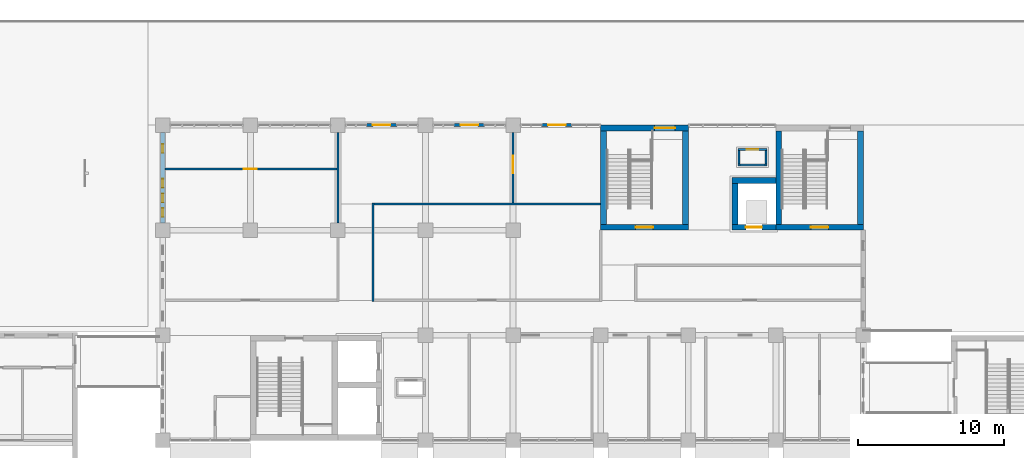
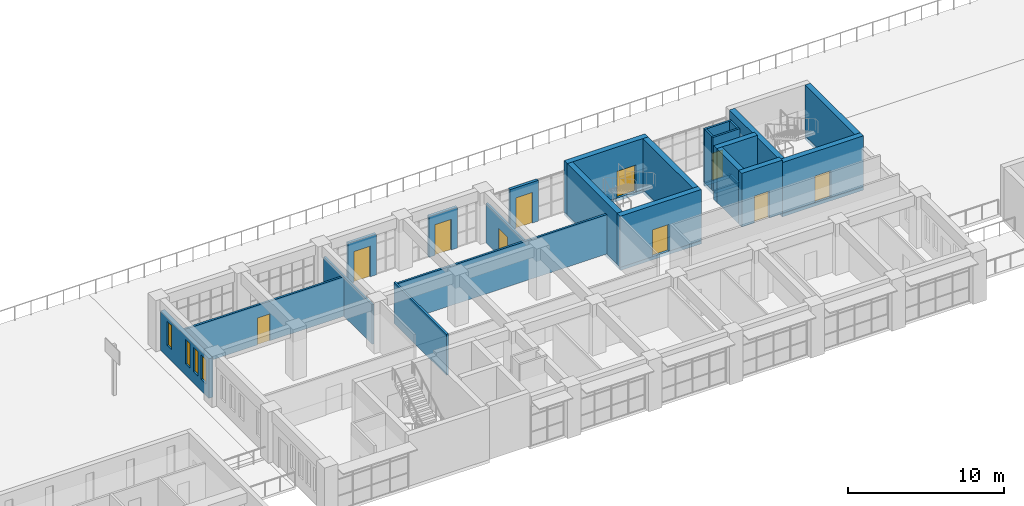
# One storey, part 79 of 101: 33 walls, 10 doors, 4 windows, 14 openings.
"""IFC4 building model written with IfcOpenShell, lengths in metres."""

from ifc_helpers import new_model, si_unit, direction, frame, frame_2d, origin, place, context, subcontext, project, spatial, rectangle, extrude, material, layer, layer_set, type_object, element, fill, save


model = new_model("IFC4")

# Units and contexts
model_context = context("Model", 3, precision=1e-05, world=origin(), true_north=direction((0.0, 1.0)))
body_context = subcontext(model_context, "Body", "Model", "MODEL_VIEW")
ifc_project = project(units=[si_unit("LENGTHUNIT", "METRE"), si_unit("AREAUNIT", "SQUARE_METRE"), si_unit("VOLUMEUNIT", "CUBIC_METRE"), si_unit("PLANEANGLEUNIT", "RADIAN"), si_unit("MASSUNIT", "GRAM", prefix="KILO")], contexts=[model_context])

# Site, building, storey
site_placement = place(None, origin())
site = spatial("IfcSite", under=ifc_project, at=site_placement, CompositionType="ELEMENT")
building_placement = place(site_placement, origin())
building = spatial("IfcBuilding", under=site, at=building_placement, Name="Laocheng Heights Fire and Rescue Headquarters", CompositionType="ELEMENT")
storey_placement = place(building_placement, frame((0.0, 0.0, 8.39990234375)))
storey = spatial("IfcBuildingStorey", under=building, at=storey_placement, Name="L02", CompositionType="ELEMENT", Elevation=8.39990234375)

# Walls
ifc_material_1 = material(Name="Gypsum plaster")
ifc_layer_1 = layer(ifc_material_1, 0.010009765625, Name="PLASTER", Category="plaster")
ifc_material_2 = material(Name="Concrete blockwork MU10", Category="masonry")
ifc_layer_2 = layer(ifc_material_2, 0.1298828125, Name="BLOCKWORK", Category="masonry")
ifc_layer_3 = layer(ifc_material_1, 0.010009765625, Name="PLASTER", Category="plaster")
ifc_layer_set_1 = layer_set([ifc_layer_1, ifc_layer_2, ifc_layer_3], Name="Concrete blockwork MU10")
wall_type_1 = type_object("IfcWallType", Name="BLOCKWORK CORRIDOR WALL 150 EI 60 HQ WING", PredefinedType="PARTITIONING", material=ifc_layer_set_1)
wall_1_placement = place(storey_placement, frame((48.0, 65.300048828125, 0.0), z_axis=(0.0, 0.0, 1.0), x_axis=(0.0, 1.0, 0.0)))
element("IfcWall", 1, at=wall_1_placement, inside=storey, type_object=wall_type_1, Name="Partition L02-003", PredefinedType="PARTITIONING", context=body_context, shape_type="SweptSolid", body=[
    extrude(rectangle(XDim=6.199951171875, YDim=0.14990234375, at=frame_2d((3.10009765625, 0.0))), origin(), (0.0, 0.0, 1.0), 3.10009765625),
])
wall_2_placement = place(storey_placement, frame((50.39990234375, 59.925048828125, 0.0), z_axis=(0.0, 0.0, 1.0), x_axis=(0.0, 1.0, 0.0)))
element("IfcWall", 2, at=wall_2_placement, inside=storey, type_object=wall_type_1, Name="Partition L02-004", PredefinedType="PARTITIONING", context=body_context, shape_type="SweptSolid", body=[
    extrude(rectangle(XDim=6.75, YDim=0.14990234375, at=frame_2d((3.375, 0.0))), origin(), (0.0, 0.0, 1.0), 3.2001953125),
])

# Wall, opening, door
wall_3_placement = place(storey_placement, frame((60.0, 66.675048828125, 0.0), z_axis=(0.0, 0.0, 1.0), x_axis=(0.0, 1.0, 0.0)))
wall_3 = element("IfcWall", 3, at=wall_3_placement, inside=storey, type_object=wall_type_1, Name="Partition L02-006", PredefinedType="PARTITIONING", context=body_context, shape_type="SweptSolid", body=[
    extrude(rectangle(XDim=4.824951171875, YDim=0.14990234375, at=frame_2d((2.41259765625, 0.0))), origin(), (0.0, 0.0, 1.0), 3.10009765625),
])
opening_1_placement = place(wall_3_placement, frame((2.02490234375, 0.0, 0.0)))
opening_1 = element("IfcOpeningElement", 4, at=opening_1_placement, cuts=wall_3, Name="Opening L02-Y02", PredefinedType="OPENING", context=body_context, shape_type="SweptSolid", body=[
    extrude(rectangle(XDim=1.199951171875, YDim=2.10009765625, at=frame_2d((0.60009765625, 1.050048828125))), frame((0.0, 0.0849609375, 0.0), z_axis=(0.0, -1.0, 0.0), x_axis=(1.0, 0.0, 0.0)), (0.0, 0.0, 1.0), 0.169921875),
])
ifc_material_3 = material(Name="Timber door leaf, veneered", Category="wood")
door_type_1 = type_object("IfcDoorType", Name="TIMBER DOOR 1200x2100 EI 30 HQ WING", OperationType="SINGLE_SWING_LEFT", PredefinedType="DOOR", material=ifc_material_3)
door_1_placement = place(opening_1_placement, frame((1.199951171875, 0.0, 0.0), z_axis=(0.0, 0.0, 1.0), x_axis=(-1.0, 0.0, 0.0)))
door_1 = element("IfcDoor", 5, at=door_1_placement, inside=storey, type_object=door_type_1, Name="Door L02-Y02", OperationType="SINGLE_SWING_LEFT", OverallHeight=2.10009765625, OverallWidth=1.199951171875, PredefinedType="DOOR", context=body_context, shape_type="SweptSolid", body=[
    extrude(rectangle(XDim=1.199951171875, YDim=2.10009765625, at=frame_2d((0.60009765625, 1.050048828125))), frame((0.0, 0.02490234375, 0.0), z_axis=(0.0, -1.0, 0.0), x_axis=(1.0, 0.0, 0.0)), (0.0, 0.0, 1.0), 0.050048828125),
])
fill(opening_1, door_1)

# Wall
wall_4_placement = place(storey_placement, frame((50.47509765625, 66.60009765625, 0.0), z_axis=(0.0, 0.0, 1.0), x_axis=(1.0, 0.0, 0.0)))
element("IfcWall", 6, at=wall_4_placement, inside=storey, type_object=wall_type_1, Name="Partition L02-020", PredefinedType="PARTITIONING", context=body_context, shape_type="SweptSolid", body=[
    extrude(rectangle(XDim=15.52490234375, YDim=0.14990234375, at=frame_2d((7.762451171875, 0.0))), origin(), (0.0, 0.0, 1.0), 3.10009765625),
])

# Wall, opening, door
wall_5_placement = place(storey_placement, frame((36.14990234375, 69.0, 0.0), z_axis=(0.0, 0.0, 1.0), x_axis=(1.0, 0.0, 0.0)))
wall_5 = element("IfcWall", 7, at=wall_5_placement, inside=storey, type_object=wall_type_1, Name="Partition L02-021", PredefinedType="PARTITIONING", context=body_context, shape_type="SweptSolid", body=[
    extrude(rectangle(XDim=11.775146484375, YDim=0.14990234375, at=frame_2d((5.8876953125, 0.0))), origin(), (0.0, 0.0, 1.0), 3.10009765625),
])
opening_2_placement = place(wall_5_placement, frame((5.39990234375, 0.0, 0.0)))
opening_2 = element("IfcOpeningElement", 8, at=opening_2_placement, cuts=wall_5, Name="Opening L02-Y11", PredefinedType="OPENING", context=body_context, shape_type="SweptSolid", body=[
    extrude(rectangle(XDim=0.89990234375, YDim=2.10009765625, at=frame_2d((0.449951171875, 1.050048828125))), frame((0.0, 0.0849609375, 0.0), z_axis=(0.0, -1.0, 0.0), x_axis=(1.0, 0.0, 0.0)), (0.0, 0.0, 1.0), 0.169921875),
])
ifc_material_4 = material(Name="Timber door leaf, veneered", Category="wood")
door_type_2 = type_object("IfcDoorType", Name="TIMBER DOOR 900x2100 EI 30 HQ WING", OperationType="SINGLE_SWING_LEFT", PredefinedType="DOOR", material=ifc_material_4)
door_2_placement = place(opening_2_placement, origin())
door_2 = element("IfcDoor", 9, at=door_2_placement, inside=storey, type_object=door_type_2, Name="Door L02-Y11", OperationType="SINGLE_SWING_LEFT", OverallHeight=2.10009765625, OverallWidth=0.89990234375, PredefinedType="DOOR", context=body_context, shape_type="SweptSolid", body=[
    extrude(rectangle(XDim=0.89990234375, YDim=2.10009765625, at=frame_2d((0.449951171875, 1.050048828125))), frame((0.0, 0.02490234375, 0.0), z_axis=(0.0, -1.0, 0.0), x_axis=(1.0, 0.0, 0.0)), (0.0, 0.0, 1.0), 0.050048828125),
])
fill(opening_2, door_2)

ifc_material_5 = material(Name="Precast concrete C40/50", Category="concrete")
ifc_layer_4 = layer(ifc_material_5, 0.199951171875)
ifc_layer_set_2 = layer_set([ifc_layer_4], Name="Precast concrete C40/50")
wall_type_2 = type_object("IfcWallType", Name="PRECAST ENTRANCE FRAME WALL 200", PredefinedType="SOLIDWALL", material=ifc_layer_set_2)
wall_6_placement = place(storey_placement, frame((49.949951171875, 72.0, 0.0), z_axis=(0.0, 0.0, 1.0), x_axis=(1.0, 0.0, 0.0)))
wall_6 = element("IfcWall", 10, at=wall_6_placement, inside=storey, type_object=wall_type_2, Name="PRECAST ENTRANCE FRAME WALL HQ NORTH L02", PredefinedType="SOLIDWALL", context=body_context, shape_type="SweptSolid", body=[
    extrude(rectangle(XDim=2.10009765625, YDim=0.199951171875, at=frame_2d((1.050048828125, 0.0))), origin(), (0.0, 0.0, 1.0), 3.2001953125),
])
opening_3_placement = place(wall_6_placement, frame((0.449951171875, 0.0, 0.0)))
opening_3 = element("IfcOpeningElement", 11, at=opening_3_placement, cuts=wall_6, Name="Opening L02-X01", PredefinedType="OPENING", context=body_context, shape_type="SweptSolid", body=[
    extrude(rectangle(XDim=1.199951171875, YDim=2.39990234375, at=frame_2d((0.60009765625, 1.199951171875))), frame((0.0, 0.10986328125, 0.0), z_axis=(0.0, -1.0, 0.0), x_axis=(1.0, 0.0, 0.0)), (0.0, 0.0, 1.0), 0.219970703125),
])
ifc_material_6 = material(Name="Dark anodised aluminium framed glazed door, low-e glazing", Category="aluminium")
door_type_3 = type_object("IfcDoorType", Name="HQ MAIN ENTRANCE DOOR 1200 x 2400", OperationType="SINGLE_SWING_LEFT", PredefinedType="DOOR", material=ifc_material_6)
door_3_placement = place(opening_3_placement, origin())
door_3 = element("IfcDoor", 12, at=door_3_placement, inside=storey, type_object=door_type_3, Name="HQ MAIN ENTRANCE DOOR HQ NORTH L02", OperationType="SINGLE_SWING_RIGHT", OverallHeight=2.39990234375, OverallWidth=1.199951171875, PredefinedType="DOOR", context=body_context, shape_type="SweptSolid", body=[
    extrude(rectangle(XDim=1.199951171875, YDim=2.39990234375, at=frame_2d((0.60009765625, 1.199951171875))), frame((0.0, 0.02490234375, 0.0), z_axis=(0.0, -1.0, 0.0), x_axis=(1.0, 0.0, 0.0)), (0.0, 0.0, 1.0), 0.050048828125),
])
fill(opening_3, door_3)

wall_7_placement = place(storey_placement, frame((55.949951171875, 72.0, 0.0), z_axis=(0.0, 0.0, 1.0), x_axis=(1.0, 0.0, 0.0)))
wall_7 = element("IfcWall", 13, at=wall_7_placement, inside=storey, type_object=wall_type_2, Name="PRECAST ENTRANCE FRAME WALL HQ NORTH L02", PredefinedType="SOLIDWALL", context=body_context, shape_type="SweptSolid", body=[
    extrude(rectangle(XDim=2.10009765625, YDim=0.199951171875, at=frame_2d((1.050048828125, 0.0))), origin(), (0.0, 0.0, 1.0), 3.2001953125),
])
opening_4_placement = place(wall_7_placement, frame((0.449951171875, 0.0, 0.0)))
opening_4 = element("IfcOpeningElement", 14, at=opening_4_placement, cuts=wall_7, Name="Opening L02-X02", PredefinedType="OPENING", context=body_context, shape_type="SweptSolid", body=[
    extrude(rectangle(XDim=1.199951171875, YDim=2.39990234375, at=frame_2d((0.60009765625, 1.199951171875))), frame((0.0, 0.10986328125, 0.0), z_axis=(0.0, -1.0, 0.0), x_axis=(1.0, 0.0, 0.0)), (0.0, 0.0, 1.0), 0.219970703125),
])
door_4_placement = place(opening_4_placement, origin())
door_4 = element("IfcDoor", 15, at=door_4_placement, inside=storey, type_object=door_type_3, Name="HQ MAIN ENTRANCE DOOR HQ NORTH L02", OperationType="SINGLE_SWING_RIGHT", OverallHeight=2.39990234375, OverallWidth=1.199951171875, PredefinedType="DOOR", context=body_context, shape_type="SweptSolid", body=[
    extrude(rectangle(XDim=1.199951171875, YDim=2.39990234375, at=frame_2d((0.60009765625, 1.199951171875))), frame((0.0, 0.02490234375, 0.0), z_axis=(0.0, -1.0, 0.0), x_axis=(1.0, 0.0, 0.0)), (0.0, 0.0, 1.0), 0.050048828125),
])
fill(opening_4, door_4)

wall_8_placement = place(storey_placement, frame((61.949951171875, 72.0, 0.0), z_axis=(0.0, 0.0, 1.0), x_axis=(1.0, 0.0, 0.0)))
wall_8 = element("IfcWall", 16, at=wall_8_placement, inside=storey, type_object=wall_type_2, Name="PRECAST ENTRANCE FRAME WALL HQ NORTH L02", PredefinedType="SOLIDWALL", context=body_context, shape_type="SweptSolid", body=[
    extrude(rectangle(XDim=2.10009765625, YDim=0.199951171875, at=frame_2d((1.050048828125, 0.0))), origin(), (0.0, 0.0, 1.0), 3.2001953125),
])
opening_5_placement = place(wall_8_placement, frame((0.449951171875, 0.0, 0.0)))
opening_5 = element("IfcOpeningElement", 17, at=opening_5_placement, cuts=wall_8, Name="Opening L02-X03", PredefinedType="OPENING", context=body_context, shape_type="SweptSolid", body=[
    extrude(rectangle(XDim=1.199951171875, YDim=2.39990234375, at=frame_2d((0.60009765625, 1.199951171875))), frame((0.0, 0.10986328125, 0.0), z_axis=(0.0, -1.0, 0.0), x_axis=(1.0, 0.0, 0.0)), (0.0, 0.0, 1.0), 0.219970703125),
])
door_5_placement = place(opening_5_placement, origin())
door_5 = element("IfcDoor", 18, at=door_5_placement, inside=storey, type_object=door_type_3, Name="HQ MAIN ENTRANCE DOOR HQ NORTH L02", OperationType="SINGLE_SWING_LEFT", OverallHeight=2.39990234375, OverallWidth=1.199951171875, PredefinedType="DOOR", context=body_context, shape_type="SweptSolid", body=[
    extrude(rectangle(XDim=1.199951171875, YDim=2.39990234375, at=frame_2d((0.60009765625, 1.199951171875))), frame((0.0, 0.02490234375, 0.0), z_axis=(0.0, -1.0, 0.0), x_axis=(1.0, 0.0, 0.0)), (0.0, 0.0, 1.0), 0.050048828125),
])
fill(opening_5, door_5)

# Wall, openings, windows
ifc_material_7 = material(Name="Precast concrete C40/50", Category="concrete")
ifc_layer_5 = layer(ifc_material_7, 0.300048828125)
ifc_layer_set_3 = layer_set([ifc_layer_5], Name="Precast concrete C40/50")
wall_type_3 = type_object("IfcWallType", Name="PRECAST WALL PANEL 300", PredefinedType="SOLIDWALL", material=ifc_layer_set_3)
wall_9_placement = place(storey_placement, frame((36.0, 65.300048828125, 0.0), z_axis=(0.0, 0.0, 1.0), x_axis=(0.0, 1.0, 0.0)))
wall_9 = element("IfcWall", 19, at=wall_9_placement, inside=storey, type_object=wall_type_3, Name="PRECAST WALL PANEL HQ WEST L02", PredefinedType="SOLIDWALL", context=body_context, shape_type="SweptSolid", body=[
    extrude(rectangle(XDim=6.199951171875, YDim=0.300048828125, at=frame_2d((3.10009765625, 0.0))), origin(), (0.0, 0.0, 1.0), 3.10009765625),
])
opening_6_placement = place(wall_9_placement, frame((0.405029296875, 0.0, 0.89990234375)))
opening_6 = element("IfcOpeningElement", 20, at=opening_6_placement, cuts=wall_9, Name="Opening N1-X", PredefinedType="OPENING", context=body_context, shape_type="SweptSolid", body=[
    extrude(rectangle(XDim=0.60009765625, YDim=1.89990234375, at=frame_2d((0.300048828125, 0.949951171875))), frame((0.0, 0.159912109375, 0.0), z_axis=(0.0, -1.0, 0.0), x_axis=(1.0, 0.0, 0.0)), (0.0, 0.0, 1.0), 0.320068359375),
])
opening_7_placement = place(wall_9_placement, frame((1.409912109375, 0.0, 0.89990234375)))
opening_7 = element("IfcOpeningElement", 21, at=opening_7_placement, cuts=wall_9, Name="Opening N1-X", PredefinedType="OPENING", context=body_context, shape_type="SweptSolid", body=[
    extrude(rectangle(XDim=0.60009765625, YDim=1.89990234375, at=frame_2d((0.300048828125, 0.949951171875))), frame((0.0, 0.159912109375, 0.0), z_axis=(0.0, -1.0, 0.0), x_axis=(1.0, 0.0, 0.0)), (0.0, 0.0, 1.0), 0.320068359375),
])
opening_8_placement = place(wall_9_placement, frame((2.4150390625, 0.0, 0.89990234375)))
opening_8 = element("IfcOpeningElement", 22, at=opening_8_placement, cuts=wall_9, Name="Opening N1-X", PredefinedType="OPENING", context=body_context, shape_type="SweptSolid", body=[
    extrude(rectangle(XDim=0.60009765625, YDim=1.89990234375, at=frame_2d((0.300048828125, 0.949951171875))), frame((0.0, 0.159912109375, 0.0), z_axis=(0.0, -1.0, 0.0), x_axis=(1.0, 0.0, 0.0)), (0.0, 0.0, 1.0), 0.320068359375),
])
opening_9_placement = place(wall_9_placement, frame((4.7900390625, 0.0, 0.89990234375)))
opening_9 = element("IfcOpeningElement", 23, at=opening_9_placement, cuts=wall_9, Name="Opening N1-X", PredefinedType="OPENING", context=body_context, shape_type="SweptSolid", body=[
    extrude(rectangle(XDim=0.60009765625, YDim=1.89990234375, at=frame_2d((0.300048828125, 0.949951171875))), frame((0.0, 0.159912109375, 0.0), z_axis=(0.0, -1.0, 0.0), x_axis=(1.0, 0.0, 0.0)), (0.0, 0.0, 1.0), 0.320068359375),
])
ifc_material_8 = material(Name="Low-e double glazing in aluminium frame", Category="aluminium")
window_type = type_object("IfcWindowType", Name="WINDOW 600 x 1900 HQ END SLOT", PartitioningType="SINGLE_PANEL", PredefinedType="WINDOW", material=ifc_material_8)
window_1_placement = place(opening_6_placement, origin())
window_1 = element("IfcWindow", 24, at=window_1_placement, inside=storey, type_object=window_type, Name="HQ END SLOT HQ WEST L02", OverallHeight=1.89990234375, OverallWidth=0.60009765625, PartitioningType="SINGLE_PANEL", PredefinedType="WINDOW", context=body_context, shape_type="SweptSolid", body=[
    extrude(rectangle(XDim=0.60009765625, YDim=1.89990234375, at=frame_2d((0.300048828125, 0.949951171875))), frame((0.0, 0.030029296875, 0.0), z_axis=(0.0, -1.0, 0.0), x_axis=(1.0, 0.0, 0.0)), (0.0, 0.0, 1.0), 0.06005859375),
])
fill(opening_6, window_1)
window_2_placement = place(opening_7_placement, origin())
window_2 = element("IfcWindow", 25, at=window_2_placement, inside=storey, type_object=window_type, Name="HQ END SLOT HQ WEST L02", OverallHeight=1.89990234375, OverallWidth=0.60009765625, PartitioningType="SINGLE_PANEL", PredefinedType="WINDOW", context=body_context, shape_type="SweptSolid", body=[
    extrude(rectangle(XDim=0.60009765625, YDim=1.89990234375, at=frame_2d((0.300048828125, 0.949951171875))), frame((0.0, 0.030029296875, 0.0), z_axis=(0.0, -1.0, 0.0), x_axis=(1.0, 0.0, 0.0)), (0.0, 0.0, 1.0), 0.06005859375),
])
fill(opening_7, window_2)
window_3_placement = place(opening_8_placement, origin())
window_3 = element("IfcWindow", 26, at=window_3_placement, inside=storey, type_object=window_type, Name="HQ END SLOT HQ WEST L02", OverallHeight=1.89990234375, OverallWidth=0.60009765625, PartitioningType="SINGLE_PANEL", PredefinedType="WINDOW", context=body_context, shape_type="SweptSolid", body=[
    extrude(rectangle(XDim=0.60009765625, YDim=1.89990234375, at=frame_2d((0.300048828125, 0.949951171875))), frame((0.0, 0.030029296875, 0.0), z_axis=(0.0, -1.0, 0.0), x_axis=(1.0, 0.0, 0.0)), (0.0, 0.0, 1.0), 0.06005859375),
])
fill(opening_8, window_3)
window_4_placement = place(opening_9_placement, origin())
window_4 = element("IfcWindow", 27, at=window_4_placement, inside=storey, type_object=window_type, Name="HQ END SLOT HQ WEST L02", OverallHeight=1.89990234375, OverallWidth=0.60009765625, PartitioningType="SINGLE_PANEL", PredefinedType="WINDOW", context=body_context, shape_type="SweptSolid", body=[
    extrude(rectangle(XDim=0.60009765625, YDim=1.89990234375, at=frame_2d((0.300048828125, 0.949951171875))), frame((0.0, 0.030029296875, 0.0), z_axis=(0.0, -1.0, 0.0), x_axis=(1.0, 0.0, 0.0)), (0.0, 0.0, 1.0), 0.06005859375),
])
fill(opening_9, window_4)

# Wall, opening, door
ifc_material_9 = material(Name="Concrete C50", Category="concrete")
ifc_layer_6 = layer(ifc_material_9, 0.39990234375)
ifc_layer_set_4 = layer_set([ifc_layer_6], Name="Concrete C50")
wall_type_4 = type_object("IfcWallType", Name="RC LIFT SHAFT WALL 400", PredefinedType="SHEAR", material=ifc_layer_set_4)
wall_10_placement = place(storey_placement, frame((75.0, 65.0, 0.0), z_axis=(0.0, 0.0, 1.0), x_axis=(1.0, 0.0, 0.0)))
wall_10 = element("IfcWall", 28, at=wall_10_placement, inside=storey, type_object=wall_type_4, Name="Lift shaft wall", PredefinedType="SHEAR", context=body_context, shape_type="SweptSolid", body=[
    extrude(rectangle(XDim=3.0, YDim=0.39990234375, at=frame_2d((1.5, 0.0))), origin(), (0.0, 0.0, 1.0), 4.2001953125),
])
opening_10_placement = place(wall_10_placement, frame((0.949951171875, 0.0, 0.0)))
opening_10 = element("IfcOpeningElement", 29, at=opening_10_placement, cuts=wall_10, Name="Opening L02-K27", PredefinedType="OPENING", context=body_context, shape_type="SweptSolid", body=[
    extrude(rectangle(XDim=1.10009765625, YDim=2.10009765625, at=frame_2d((0.550048828125, 1.050048828125))), frame((0.0, 0.2099609375, 0.0), z_axis=(0.0, -1.0, 0.0), x_axis=(1.0, 0.0, 0.0)), (0.0, 0.0, 1.0), 0.419921875),
])
ifc_material_10 = material(Name="Stainless steel", Category="steel")
door_type_4 = type_object("IfcDoorType", Name="LANDING DOOR H-L2 SLIDING 1100x2100 E 120", OperationType="DOUBLE_DOOR_SLIDING", PredefinedType="DOOR", material=ifc_material_10)
door_6_placement = place(opening_10_placement, origin())
door_6 = element("IfcDoor", 30, at=door_6_placement, inside=storey, type_object=door_type_4, Name="Landing door H-L2", OperationType="DOUBLE_DOOR_SLIDING", OverallHeight=2.10009765625, OverallWidth=1.10009765625, PredefinedType="DOOR", context=body_context, shape_type="SweptSolid", body=[
    extrude(rectangle(XDim=1.10009765625, YDim=2.10009765625, at=frame_2d((0.550048828125, 1.050048828125))), frame((0.0, 0.02490234375, 0.0), z_axis=(0.0, -1.0, 0.0), x_axis=(1.0, 0.0, 0.0)), (0.0, 0.0, 1.0), 0.050048828125),
])
fill(opening_10, door_6)

# Walls
wall_11_placement = place(storey_placement, frame((75.0, 68.199951171875, 0.0), z_axis=(0.0, 0.0, 1.0), x_axis=(1.0, 0.0, 0.0)))
element("IfcWall", 31, at=wall_11_placement, inside=storey, type_object=wall_type_4, Name="Lift shaft wall", PredefinedType="SHEAR", context=body_context, shape_type="SweptSolid", body=[
    extrude(rectangle(XDim=3.0, YDim=0.39990234375, at=frame_2d((1.5, 0.0))), origin(), (0.0, 0.0, 1.0), 4.2001953125),
])
wall_12_placement = place(storey_placement, frame((75.199951171875, 65.199951171875, 0.0), z_axis=(0.0, 0.0, 1.0), x_axis=(0.0, 1.0, 0.0)))
element("IfcWall", 32, at=wall_12_placement, inside=storey, type_object=wall_type_4, Name="Lift shaft wall", PredefinedType="SHEAR", context=body_context, shape_type="SweptSolid", body=[
    extrude(rectangle(XDim=2.800048828125, YDim=0.39990234375, at=frame_2d((1.39990234375, 0.0))), origin(), (0.0, 0.0, 1.0), 4.2001953125),
])

# Wall, opening, door
ifc_material_11 = material(Name="Concrete C50", Category="concrete")
ifc_layer_7 = layer(ifc_material_11, 0.39990234375)
ifc_layer_set_5 = layer_set([ifc_layer_7], Name="Concrete C50")
wall_type_5 = type_object("IfcWallType", Name="RC STAIR ENCLOSURE WALL 400", PredefinedType="SHEAR", material=ifc_layer_set_5)
wall_13_placement = place(storey_placement, frame((78.0, 65.0, 0.0), z_axis=(0.0, 0.0, 1.0), x_axis=(1.0, 0.0, 0.0)))
wall_13 = element("IfcWall", 33, at=wall_13_placement, inside=storey, type_object=wall_type_5, Name="Stair enclosure wall", PredefinedType="SHEAR", context=body_context, shape_type="SweptSolid", body=[
    extrude(rectangle(XDim=6.0, YDim=0.39990234375, at=frame_2d((3.0, 0.0))), origin(), (0.0, 0.0, 1.0), 4.0),
])
opening_11_placement = place(wall_13_placement, frame((2.39990234375, 0.0, 0.0)))
opening_11 = element("IfcOpeningElement", 34, at=opening_11_placement, cuts=wall_13, Name="Opening L02-K25", PredefinedType="OPENING", context=body_context, shape_type="SweptSolid", body=[
    extrude(rectangle(XDim=1.199951171875, YDim=2.10009765625, at=frame_2d((0.60009765625, 1.050048828125))), frame((0.0, 0.2099609375, 0.0), z_axis=(0.0, -1.0, 0.0), x_axis=(1.0, 0.0, 0.0)), (0.0, 0.0, 1.0), 0.419921875),
])
ifc_material_12 = material(Name="Painted steel", Category="steel")
door_type_5 = type_object("IfcDoorType", Name="FIRE DOOR 1200x2100 EI 60", OperationType="SINGLE_SWING_LEFT", PredefinedType="DOOR", material=ifc_material_12)
door_7_placement = place(opening_11_placement, origin())
door_7 = element("IfcDoor", 35, at=door_7_placement, inside=storey, type_object=door_type_5, Name="Stair H2 door", OperationType="SINGLE_SWING_LEFT", OverallHeight=2.10009765625, OverallWidth=1.199951171875, PredefinedType="DOOR", context=body_context, shape_type="SweptSolid", body=[
    extrude(rectangle(XDim=1.199951171875, YDim=2.10009765625, at=frame_2d((0.60009765625, 1.050048828125))), frame((0.0, 0.02490234375, 0.0), z_axis=(0.0, -1.0, 0.0), x_axis=(1.0, 0.0, 0.0)), (0.0, 0.0, 1.0), 0.050048828125),
])
fill(opening_11, door_7)

# Walls
for number, where, z_axis, x_axis, name in (
    (36, (78.199951171875, 65.199951171875, 0.0), (0.0, 0.0, 1.0), (0.0, 1.0, 0.0), "Stair enclosure wall"),
    (37, (83.800048828125, 65.199951171875, 0.0), (0.0, 0.0, 1.0), (0.0, 1.0, 0.0), "Stair enclosure wall"),
):
    element("IfcWall", number, at=place(storey_placement, frame(where, z_axis=z_axis, x_axis=x_axis)), inside=storey, type_object=wall_type_5, Name=name, PredefinedType="SHEAR", context=body_context, shape_type="SweptSolid", body=[
        extrude(rectangle(XDim=6.400146484375, YDim=0.39990234375, at=frame_2d((3.2001953125, 0.0))), origin(), (0.0, 0.0, 1.0), 4.0),
    ])

# Wall, opening, door
wall_14_placement = place(storey_placement, frame((66.0, 65.0, 0.0), z_axis=(0.0, 0.0, 1.0), x_axis=(1.0, 0.0, 0.0)))
wall_14 = element("IfcWall", 38, at=wall_14_placement, inside=storey, type_object=wall_type_5, Name="Stair enclosure wall", PredefinedType="SHEAR", context=body_context, shape_type="SweptSolid", body=[
    extrude(rectangle(XDim=6.0, YDim=0.39990234375, at=frame_2d((3.0, 0.0))), origin(), (0.0, 0.0, 1.0), 4.0),
])
opening_12_placement = place(wall_14_placement, frame((2.39990234375, 0.0, 0.0)))
opening_12 = element("IfcOpeningElement", 39, at=opening_12_placement, cuts=wall_14, Name="Opening L02-K29", PredefinedType="OPENING", context=body_context, shape_type="SweptSolid", body=[
    extrude(rectangle(XDim=1.199951171875, YDim=2.10009765625, at=frame_2d((0.60009765625, 1.050048828125))), frame((0.0, 0.2099609375, 0.0), z_axis=(0.0, -1.0, 0.0), x_axis=(1.0, 0.0, 0.0)), (0.0, 0.0, 1.0), 0.419921875),
])
door_8_placement = place(opening_12_placement, origin())
door_8 = element("IfcDoor", 40, at=door_8_placement, inside=storey, type_object=door_type_5, Name="Stair H3 door", OperationType="SINGLE_SWING_LEFT", OverallHeight=2.10009765625, OverallWidth=1.199951171875, PredefinedType="DOOR", context=body_context, shape_type="SweptSolid", body=[
    extrude(rectangle(XDim=1.199951171875, YDim=2.10009765625, at=frame_2d((0.60009765625, 1.050048828125))), frame((0.0, 0.02490234375, 0.0), z_axis=(0.0, -1.0, 0.0), x_axis=(1.0, 0.0, 0.0)), (0.0, 0.0, 1.0), 0.050048828125),
])
fill(opening_12, door_8)

wall_15_placement = place(storey_placement, frame((66.0, 71.800048828125, 0.0), z_axis=(0.0, 0.0, 1.0), x_axis=(1.0, 0.0, 0.0)))
wall_15 = element("IfcWall", 41, at=wall_15_placement, inside=storey, type_object=wall_type_5, Name="Stair enclosure wall", PredefinedType="SHEAR", context=body_context, shape_type="SweptSolid", body=[
    extrude(rectangle(XDim=6.0, YDim=0.39990234375, at=frame_2d((3.0, 0.0))), origin(), (0.0, 0.0, 1.0), 4.0),
])
opening_13_placement = place(wall_15_placement, frame((3.699951171875, 0.0, 0.0)))
opening_13 = element("IfcOpeningElement", 42, at=opening_13_placement, cuts=wall_15, Name="Opening L02-K30", PredefinedType="OPENING", context=body_context, shape_type="SweptSolid", body=[
    extrude(rectangle(XDim=1.39990234375, YDim=2.10009765625, at=frame_2d((0.699951171875, 1.050048828125))), frame((0.0, 0.2099609375, 0.0), z_axis=(0.0, -1.0, 0.0), x_axis=(1.0, 0.0, 0.0)), (0.0, 0.0, 1.0), 0.419921875),
])
ifc_material_13 = material(Name="Painted steel", Category="steel")
door_type_6 = type_object("IfcDoorType", Name="STAIR EXIT DOOR 1400x2100 EI 60", OperationType="DOUBLE_DOOR_SINGLE_SWING", PredefinedType="DOOR", material=ifc_material_13)
door_9_placement = place(opening_13_placement, origin())
door_9 = element("IfcDoor", 43, at=door_9_placement, inside=storey, type_object=door_type_6, Name="Stair H3 exit door", OperationType="DOUBLE_DOOR_SINGLE_SWING", OverallHeight=2.10009765625, OverallWidth=1.39990234375, PredefinedType="DOOR", context=body_context, shape_type="SweptSolid", body=[
    extrude(rectangle(XDim=1.39990234375, YDim=2.10009765625, at=frame_2d((0.699951171875, 1.050048828125))), frame((0.0, 0.02490234375, 0.0), z_axis=(0.0, -1.0, 0.0), x_axis=(1.0, 0.0, 0.0)), (0.0, 0.0, 1.0), 0.050048828125),
])
fill(opening_13, door_9)

# Walls
for number, where, z_axis, x_axis, name in (
    (44, (66.199951171875, 65.199951171875, 0.0), (0.0, 0.0, 1.0), (0.0, 1.0, 0.0), "Stair enclosure wall"),
    (45, (71.800048828125, 65.199951171875, 0.0), (0.0, 0.0, 1.0), (0.0, 1.0, 0.0), "Stair enclosure wall"),
):
    element("IfcWall", number, at=place(storey_placement, frame(where, z_axis=z_axis, x_axis=x_axis)), inside=storey, type_object=wall_type_5, Name=name, PredefinedType="SHEAR", context=body_context, shape_type="SweptSolid", body=[
        extrude(rectangle(XDim=6.400146484375, YDim=0.39990234375, at=frame_2d((3.2001953125, 0.0))), origin(), (0.0, 0.0, 1.0), 4.0),
    ])
ifc_material_14 = material(Name="Concrete C30", Category="concrete")
ifc_layer_8 = layer(ifc_material_14, 0.14990234375)
ifc_layer_set_6 = layer_set([ifc_layer_8], Name="Concrete C30")
wall_type_6 = type_object("IfcWallType", Name="RISER KERB WALL 150", PredefinedType="SOLIDWALL", material=ifc_layer_set_6)
wall_16_placement = place(storey_placement, frame((75.550048828125, 69.27490234375, -0.25), z_axis=(0.0, 0.0, 1.0), x_axis=(1.0, 0.0, 0.0)))
element("IfcWall", 46, at=wall_16_placement, inside=storey, type_object=wall_type_6, Name="Riser kerb wall", PredefinedType="SOLIDWALL", context=body_context, shape_type="SweptSolid", body=[
    extrude(rectangle(XDim=1.699951171875, YDim=0.14990234375, at=frame_2d((0.85009765625, 0.0))), origin(), (0.0, 0.0, 1.0), 0.25),
])
wall_17_placement = place(storey_placement, frame((75.39990234375, 70.324951171875, -0.25), z_axis=(0.0, 0.0, 1.0), x_axis=(1.0, 0.0, 0.0)))
element("IfcWall", 47, at=wall_17_placement, inside=storey, type_object=wall_type_6, Name="Riser kerb wall", PredefinedType="SOLIDWALL", context=body_context, shape_type="SweptSolid", body=[
    extrude(rectangle(XDim=2.0, YDim=0.14990234375, at=frame_2d((1.0, 0.0))), origin(), (0.0, 0.0, 1.0), 0.25),
])
for number, where, z_axis, x_axis, name in (
    (48, (75.47509765625, 69.199951171875, -0.25), (0.0, 0.0, 1.0), (0.0, 1.0, 0.0), "Riser kerb wall"),
    (49, (77.324951171875, 69.199951171875, -0.25), (0.0, 0.0, 1.0), (0.0, 1.0, 0.0), "Riser kerb wall"),
):
    element("IfcWall", number, at=place(storey_placement, frame(where, z_axis=z_axis, x_axis=x_axis)), inside=storey, type_object=wall_type_6, Name=name, PredefinedType="SOLIDWALL", context=body_context, shape_type="SweptSolid", body=[
        extrude(rectangle(XDim=1.050048828125, YDim=0.14990234375, at=frame_2d((0.52490234375, 0.0))), origin(), (0.0, 0.0, 1.0), 0.25),
    ])
ifc_material_15 = material(Name="Concrete C30", Category="concrete")
ifc_layer_9 = layer(ifc_material_15, 0.14990234375)
ifc_layer_set_7 = layer_set([ifc_layer_9], Name="Concrete C30")
wall_type_7 = type_object("IfcWallType", Name="RISER SHAFT WALL 150", PredefinedType="SOLIDWALL", material=ifc_layer_set_7)
wall_18_placement = place(storey_placement, frame((75.39990234375, 69.27490234375, 0.0), z_axis=(0.0, 0.0, 1.0), x_axis=(1.0, 0.0, 0.0)))
element("IfcWall", 50, at=wall_18_placement, inside=storey, type_object=wall_type_7, Name="Riser shaft wall", PredefinedType="SOLIDWALL", context=body_context, shape_type="SweptSolid", body=[
    extrude(rectangle(XDim=2.0, YDim=0.14990234375, at=frame_2d((1.0, 0.0))), origin(), (0.0, 0.0, 1.0), 4.2001953125),
])

# Wall, opening, door
wall_19_placement = place(storey_placement, frame((75.39990234375, 70.324951171875, 0.0), z_axis=(0.0, 0.0, 1.0), x_axis=(1.0, 0.0, 0.0)))
wall_19 = element("IfcWall", 51, at=wall_19_placement, inside=storey, type_object=wall_type_7, Name="Riser shaft wall", PredefinedType="SOLIDWALL", context=body_context, shape_type="SweptSolid", body=[
    extrude(rectangle(XDim=2.0, YDim=0.14990234375, at=frame_2d((1.0, 0.0))), origin(), (0.0, 0.0, 1.0), 4.2001953125),
])
opening_14_placement = place(wall_19_placement, frame((0.60009765625, 0.0, 0.0)))
opening_14 = element("IfcOpeningElement", 52, at=opening_14_placement, cuts=wall_19, Name="Opening L02-K28", PredefinedType="OPENING", context=body_context, shape_type="SweptSolid", body=[
    extrude(rectangle(XDim=0.800048828125, YDim=2.10009765625, at=frame_2d((0.39990234375, 1.050048828125))), frame((0.0, 0.0849609375, 0.0), z_axis=(0.0, -1.0, 0.0), x_axis=(1.0, 0.0, 0.0)), (0.0, 0.0, 1.0), 0.169921875),
])
ifc_material_16 = material(Name="Painted steel", Category="steel")
door_type_7 = type_object("IfcDoorType", Name="RISER ACCESS DOOR 800x2100 EI 30", OperationType="SINGLE_SWING_LEFT", PredefinedType="DOOR", material=ifc_material_16)
door_10_placement = place(opening_14_placement, frame((0.800048828125, 0.0, 0.0), z_axis=(0.0, 0.0, 1.0), x_axis=(-1.0, 0.0, 0.0)))
door_10 = element("IfcDoor", 53, at=door_10_placement, inside=storey, type_object=door_type_7, Name="Riser RH2 access door", OperationType="SINGLE_SWING_LEFT", OverallHeight=2.10009765625, OverallWidth=0.800048828125, PredefinedType="DOOR", context=body_context, shape_type="SweptSolid", body=[
    extrude(rectangle(XDim=0.800048828125, YDim=2.10009765625, at=frame_2d((0.39990234375, 1.050048828125))), frame((0.0, 0.02490234375, 0.0), z_axis=(0.0, -1.0, 0.0), x_axis=(1.0, 0.0, 0.0)), (0.0, 0.0, 1.0), 0.050048828125),
])
fill(opening_14, door_10)

# Walls
for number, where, z_axis, x_axis, name in (
    (54, (75.47509765625, 69.35009765625, 0.0), (0.0, 0.0, 1.0), (0.0, 1.0, 0.0), "Riser shaft wall"),
    (55, (77.324951171875, 69.35009765625, 0.0), (0.0, 0.0, 1.0), (0.0, 1.0, 0.0), "Riser shaft wall"),
):
    element("IfcWall", number, at=place(storey_placement, frame(where, z_axis=z_axis, x_axis=x_axis)), inside=storey, type_object=wall_type_7, Name=name, PredefinedType="SOLIDWALL", context=body_context, shape_type="SweptSolid", body=[
        extrude(rectangle(XDim=0.89990234375, YDim=0.14990234375, at=frame_2d((0.449951171875, 0.0))), origin(), (0.0, 0.0, 1.0), 4.2001953125),
    ])
ifc_material_17 = material(Name="Concrete C40", Category="concrete")
ifc_layer_10 = layer(ifc_material_17, 0.39990234375)
ifc_layer_set_8 = layer_set([ifc_layer_10], Name="Concrete C40")
wall_type_8 = type_object("IfcWallType", Name="STAIR KERB WALL 400", PredefinedType="SOLIDWALL", material=ifc_layer_set_8)
wall_20_placement = place(storey_placement, frame((78.0, 65.0, -0.25), z_axis=(0.0, 0.0, 1.0), x_axis=(1.0, 0.0, 0.0)))
element("IfcWall", 56, at=wall_20_placement, inside=storey, type_object=wall_type_8, Name="Stair kerb wall", PredefinedType="SOLIDWALL", context=body_context, shape_type="SweptSolid", body=[
    extrude(rectangle(XDim=6.0, YDim=0.39990234375, at=frame_2d((3.0, 0.0))), origin(), (0.0, 0.0, 1.0), 0.25),
])
wall_21_placement = place(storey_placement, frame((83.800048828125, 65.199951171875, -0.25), z_axis=(0.0, 0.0, 1.0), x_axis=(0.0, 1.0, 0.0)))
element("IfcWall", 57, at=wall_21_placement, inside=storey, type_object=wall_type_8, Name="Stair kerb wall", PredefinedType="SOLIDWALL", context=body_context, shape_type="SweptSolid", body=[
    extrude(rectangle(XDim=6.400146484375, YDim=0.39990234375, at=frame_2d((3.2001953125, 0.0))), origin(), (0.0, 0.0, 1.0), 0.25),
])
for number, where, z_axis, x_axis, name in (
    (58, (66.0, 65.0, -0.25), (0.0, 0.0, 1.0), (1.0, 0.0, 0.0), "Stair kerb wall"),
    (59, (66.0, 71.800048828125, -0.25), (0.0, 0.0, 1.0), (1.0, 0.0, 0.0), "Stair kerb wall"),
):
    element("IfcWall", number, at=place(storey_placement, frame(where, z_axis=z_axis, x_axis=x_axis)), inside=storey, type_object=wall_type_8, Name=name, PredefinedType="SOLIDWALL", context=body_context, shape_type="SweptSolid", body=[
        extrude(rectangle(XDim=6.0, YDim=0.39990234375, at=frame_2d((3.0, 0.0))), origin(), (0.0, 0.0, 1.0), 0.25),
    ])
for number, where, z_axis, x_axis, name in (
    (60, (66.199951171875, 65.199951171875, -0.25), (0.0, 0.0, 1.0), (0.0, 1.0, 0.0), "Stair kerb wall"),
    (61, (71.800048828125, 65.199951171875, -0.25), (0.0, 0.0, 1.0), (0.0, 1.0, 0.0), "Stair kerb wall"),
):
    element("IfcWall", number, at=place(storey_placement, frame(where, z_axis=z_axis, x_axis=x_axis)), inside=storey, type_object=wall_type_8, Name=name, PredefinedType="SOLIDWALL", context=body_context, shape_type="SweptSolid", body=[
        extrude(rectangle(XDim=6.400146484375, YDim=0.39990234375, at=frame_2d((3.2001953125, 0.0))), origin(), (0.0, 0.0, 1.0), 0.25),
    ])

save(model, "model.ifc")
